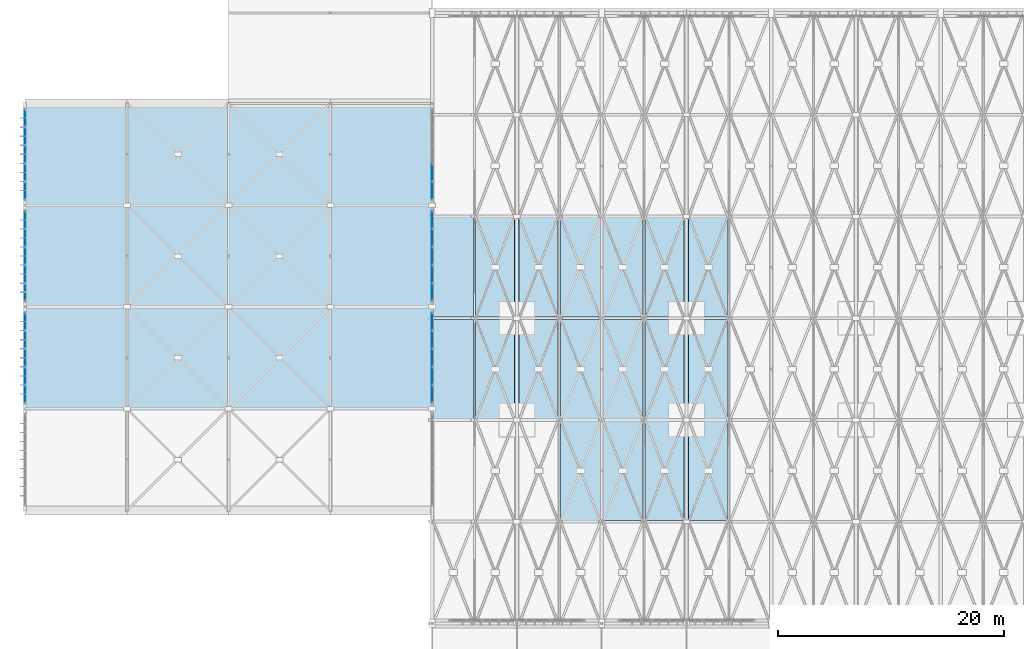
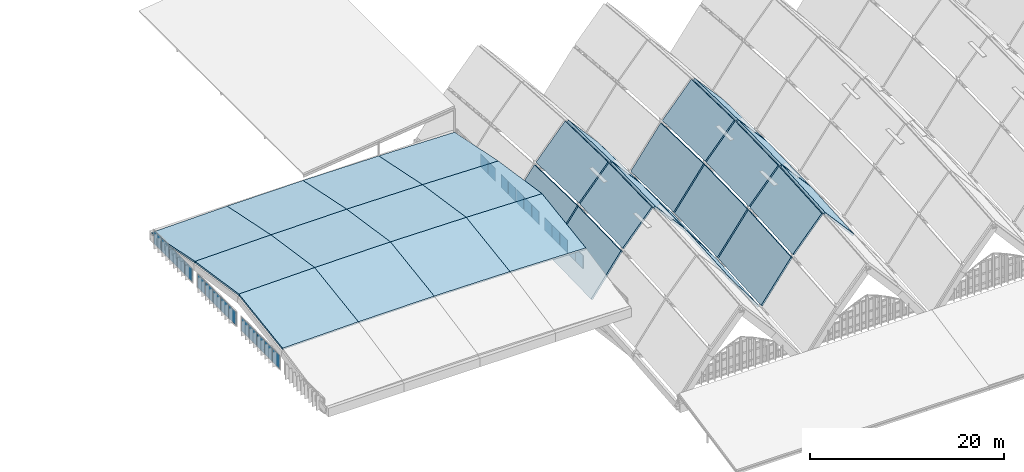
# One storey, part 57 of 93: 30 slabs, 27 plates, 7 elements without a shape of their own.
"""IFC4 building model written with IfcOpenShell, lengths in metres."""

from ifc_helpers import new_model, si_unit, direction, frame, origin, origin_2d, place, context, subcontext, project, spatial, polyline, rectangle, outline, extrude, material, layer, layer_set, type_object, element, aggregate, save


model = new_model("IFC4")

# Units and contexts
model_context = context("Model", 3, precision=1e-05, world=origin(), true_north=direction((0.0, 1.0)))
body_context = subcontext(model_context, "Body", "Model", "MODEL_VIEW")
ifc_project = project(units=[si_unit("LENGTHUNIT", "METRE"), si_unit("AREAUNIT", "SQUARE_METRE"), si_unit("VOLUMEUNIT", "CUBIC_METRE"), si_unit("PLANEANGLEUNIT", "RADIAN"), si_unit("MASSUNIT", "GRAM", prefix="KILO")], contexts=[model_context])

# Site, building, storey
site_placement = place(None, origin())
site = spatial("IfcSite", under=ifc_project, at=site_placement, CompositionType="ELEMENT")
building_placement = place(site_placement, origin())
building = spatial("IfcBuilding", under=site, at=building_placement, Name="Vourika Railside Aquatics Centre", CompositionType="ELEMENT")
storey_placement = place(building_placement, frame((0.0, 0.0, 21.89990234375)))
storey = spatial("IfcBuildingStorey", under=building, at=storey_placement, Name="Roof", CompositionType="ELEMENT", Elevation=21.89990234375)

# Curtain wall, plates
ifc_material_1 = material(Name="Anodized thermally broken aluminium", Category="aluminium")
curtain_wall_type_1 = type_object("IfcCurtainWallType", Name="CW-DIVEE", PredefinedType="NOTDEFINED", material=ifc_material_1)
curtain_wall_1_placement = place(storey_placement, origin())
curtain_wall_1 = element("IfcCurtainWall", 1, at=curtain_wall_1_placement, inside=storey, type_object=curtain_wall_type_1, Name="Diving Hall East Clerestory Curtain Wall 2", PredefinedType="NOTDEFINED")
ifc_material_2 = material(Name="Low-E solar-control laminated double glazing", Category="glass")
ifc_layer_1 = layer(ifc_material_2, 0.0400390625, Name="CWP-DIVEE")
ifc_layer_set_1 = layer_set([ifc_layer_1], Name="Low-E solar-control laminated double glazing")
plate_type_1 = type_object("IfcPlateType", Name="CWP-DIVEE", PredefinedType="CURTAIN_PANEL", material=ifc_layer_set_1)
plate_1_placement = place(storey_placement, frame((36.0, 32.302978515625, -6.223876953125), z_axis=(0.0, 0.0, 1.0), x_axis=(0.0, 1.0, 0.0)))
plate_1 = element("IfcPlate", 2, at=plate_1_placement, type_object=plate_type_1, Name="CW06 panel 1.1", PredefinedType="CURTAIN_PANEL", context=body_context, shape_type="SweptSolid", body=[
    extrude(rectangle(XDim=1.493896484375, YDim=0.0400390625, at=origin_2d()), origin(), (0.0, 0.0, 1.0), 1.64794921875),
])
plate_2_placement = place(storey_placement, frame((36.0, 33.89208984375, -6.223876953125), z_axis=(0.0, 0.0, 1.0), x_axis=(0.0, 1.0, 0.0)))
plate_2 = element("IfcPlate", 3, at=plate_2_placement, type_object=plate_type_1, Name="CW06 panel 2.1", PredefinedType="CURTAIN_PANEL", context=body_context, shape_type="SweptSolid", body=[
    extrude(rectangle(XDim=1.531982421875, YDim=0.0400390625, at=origin_2d()), origin(), (0.0, 0.0, 1.0), 1.64794921875),
])
plate_3_placement = place(storey_placement, frame((36.0, 35.5, -6.223876953125), z_axis=(0.0, 0.0, 1.0), x_axis=(0.0, 1.0, 0.0)))
plate_3 = element("IfcPlate", 4, at=plate_3_placement, type_object=plate_type_1, Name="CW06 panel 3.1", PredefinedType="CURTAIN_PANEL", context=body_context, shape_type="SweptSolid", body=[
    extrude(rectangle(XDim=1.531982421875, YDim=0.0400390625, at=origin_2d()), origin(), (0.0, 0.0, 1.0), 1.64794921875),
])
plate_4_placement = place(storey_placement, frame((36.0, 37.10791015625, -6.223876953125), z_axis=(0.0, 0.0, 1.0), x_axis=(0.0, 1.0, 0.0)))
plate_4 = element("IfcPlate", 5, at=plate_4_placement, type_object=plate_type_1, Name="CW06 panel 4.1", PredefinedType="CURTAIN_PANEL", context=body_context, shape_type="SweptSolid", body=[
    extrude(rectangle(XDim=1.531982421875, YDim=0.0400390625, at=origin_2d()), origin(), (0.0, 0.0, 1.0), 1.64794921875),
])
plate_5_placement = place(storey_placement, frame((36.0, 38.697021484375, -6.223876953125), z_axis=(0.0, 0.0, 1.0), x_axis=(0.0, 1.0, 0.0)))
plate_5 = element("IfcPlate", 6, at=plate_5_placement, type_object=plate_type_1, Name="CW06 panel 5.1", PredefinedType="CURTAIN_PANEL", context=body_context, shape_type="SweptSolid", body=[
    extrude(rectangle(XDim=1.493896484375, YDim=0.0400390625, at=origin_2d()), origin(), (0.0, 0.0, 1.0), 1.64794921875),
])
aggregate(curtain_wall_1, [plate_1, plate_2, plate_3, plate_4, plate_5])

curtain_wall_2_placement = place(storey_placement, origin())
curtain_wall_2 = element("IfcCurtainWall", 7, at=curtain_wall_2_placement, inside=storey, type_object=curtain_wall_type_1, Name="Diving Hall East Clerestory Curtain Wall 3", PredefinedType="NOTDEFINED")
plate_6_placement = place(storey_placement, frame((36.0, 41.302978515625, -6.223876953125), z_axis=(0.0, 0.0, 1.0), x_axis=(0.0, 1.0, 0.0)))
plate_6 = element("IfcPlate", 8, at=plate_6_placement, type_object=plate_type_1, Name="CW06 panel 1.1", PredefinedType="CURTAIN_PANEL", context=body_context, shape_type="SweptSolid", body=[
    extrude(rectangle(XDim=1.493896484375, YDim=0.0400390625, at=origin_2d()), origin(), (0.0, 0.0, 1.0), 1.64794921875),
])
plate_7_placement = place(storey_placement, frame((36.0, 42.89208984375, -6.223876953125), z_axis=(0.0, 0.0, 1.0), x_axis=(0.0, 1.0, 0.0)))
plate_7 = element("IfcPlate", 9, at=plate_7_placement, type_object=plate_type_1, Name="CW06 panel 2.1", PredefinedType="CURTAIN_PANEL", context=body_context, shape_type="SweptSolid", body=[
    extrude(rectangle(XDim=1.531982421875, YDim=0.0400390625, at=origin_2d()), origin(), (0.0, 0.0, 1.0), 1.64794921875),
])
plate_8_placement = place(storey_placement, frame((36.0, 44.5, -6.223876953125), z_axis=(0.0, 0.0, 1.0), x_axis=(0.0, 1.0, 0.0)))
plate_8 = element("IfcPlate", 10, at=plate_8_placement, type_object=plate_type_1, Name="CW06 panel 3.1", PredefinedType="CURTAIN_PANEL", context=body_context, shape_type="SweptSolid", body=[
    extrude(rectangle(XDim=1.531982421875, YDim=0.0400390625, at=origin_2d()), origin(), (0.0, 0.0, 1.0), 1.64794921875),
])
plate_9_placement = place(storey_placement, frame((36.0, 46.10791015625, -6.223876953125), z_axis=(0.0, 0.0, 1.0), x_axis=(0.0, 1.0, 0.0)))
plate_9 = element("IfcPlate", 11, at=plate_9_placement, type_object=plate_type_1, Name="CW06 panel 4.1", PredefinedType="CURTAIN_PANEL", context=body_context, shape_type="SweptSolid", body=[
    extrude(rectangle(XDim=1.531982421875, YDim=0.0400390625, at=origin_2d()), origin(), (0.0, 0.0, 1.0), 1.64794921875),
])
plate_10_placement = place(storey_placement, frame((36.0, 47.697021484375, -6.223876953125), z_axis=(0.0, 0.0, 1.0), x_axis=(0.0, 1.0, 0.0)))
plate_10 = element("IfcPlate", 12, at=plate_10_placement, type_object=plate_type_1, Name="CW06 panel 5.1", PredefinedType="CURTAIN_PANEL", context=body_context, shape_type="SweptSolid", body=[
    extrude(rectangle(XDim=1.493896484375, YDim=0.0400390625, at=origin_2d()), origin(), (0.0, 0.0, 1.0), 1.64794921875),
])
aggregate(curtain_wall_2, [plate_6, plate_7, plate_8, plate_9, plate_10])

curtain_wall_3_placement = place(storey_placement, origin())
curtain_wall_3 = element("IfcCurtainWall", 13, at=curtain_wall_3_placement, inside=storey, type_object=curtain_wall_type_1, Name="Diving Hall East Clerestory Curtain Wall 4", PredefinedType="NOTDEFINED")
plate_11_placement = place(storey_placement, frame((36.0, 50.302978515625, -6.223876953125), z_axis=(0.0, 0.0, 1.0), x_axis=(0.0, 1.0, 0.0)))
plate_11 = element("IfcPlate", 14, at=plate_11_placement, type_object=plate_type_1, Name="CW06 panel 1.1", PredefinedType="CURTAIN_PANEL", context=body_context, shape_type="SweptSolid", body=[
    extrude(rectangle(XDim=1.493896484375, YDim=0.0400390625, at=origin_2d()), origin(), (0.0, 0.0, 1.0), 1.64794921875),
])
plate_12_placement = place(storey_placement, frame((36.0, 51.89208984375, -6.223876953125), z_axis=(0.0, 0.0, 1.0), x_axis=(0.0, 1.0, 0.0)))
plate_12 = element("IfcPlate", 15, at=plate_12_placement, type_object=plate_type_1, Name="CW06 panel 2.1", PredefinedType="CURTAIN_PANEL", context=body_context, shape_type="SweptSolid", body=[
    extrude(rectangle(XDim=1.531982421875, YDim=0.0400390625, at=origin_2d()), origin(), (0.0, 0.0, 1.0), 1.64794921875),
])
aggregate(curtain_wall_3, [plate_11, plate_12])

curtain_wall_type_2 = type_object("IfcCurtainWallType", Name="CW-DIVEW", PredefinedType="NOTDEFINED", material=ifc_material_1)
curtain_wall_4_placement = place(storey_placement, origin())
curtain_wall_4 = element("IfcCurtainWall", 16, at=curtain_wall_4_placement, inside=storey, type_object=curtain_wall_type_2, Name="Diving Hall West Clerestory Curtain Wall 2", PredefinedType="NOTDEFINED")
ifc_layer_2 = layer(ifc_material_2, 0.0400390625, Name="CWP-DIVEW")
ifc_layer_set_2 = layer_set([ifc_layer_2], Name="Low-E solar-control laminated double glazing")
plate_type_2 = type_object("IfcPlateType", Name="CWP-DIVEW", PredefinedType="CURTAIN_PANEL", material=ifc_layer_set_2)
plate_13_placement = place(storey_placement, frame((0.0, 38.696533203125, -6.22216796875), z_axis=(0.0, 0.0, 1.0), x_axis=(0.0, -1.0, 0.0)))
plate_13 = element("IfcPlate", 17, at=plate_13_placement, type_object=plate_type_2, Name="CW05 panel 1.1", PredefinedType="CURTAIN_PANEL", context=body_context, shape_type="SweptSolid", body=[
    extrude(rectangle(XDim=1.490966796875, YDim=0.0400390625, at=origin_2d()), origin(), (0.0, 0.0, 1.0), 1.694091796875),
])
plate_14_placement = place(storey_placement, frame((0.0, 37.10791015625, -6.22216796875), z_axis=(0.0, 0.0, 1.0), x_axis=(0.0, -1.0, 0.0)))
plate_14 = element("IfcPlate", 18, at=plate_14_placement, type_object=plate_type_2, Name="CW05 panel 2.1", PredefinedType="CURTAIN_PANEL", context=body_context, shape_type="SweptSolid", body=[
    extrude(rectangle(XDim=1.530029296875, YDim=0.0400390625, at=origin_2d()), origin(), (0.0, 0.0, 1.0), 1.694091796875),
])
plate_15_placement = place(storey_placement, frame((0.0, 35.5, -6.22216796875), z_axis=(0.0, 0.0, 1.0), x_axis=(0.0, -1.0, 0.0)))
plate_15 = element("IfcPlate", 19, at=plate_15_placement, type_object=plate_type_2, Name="CW05 panel 3.1", PredefinedType="CURTAIN_PANEL", context=body_context, shape_type="SweptSolid", body=[
    extrude(rectangle(XDim=1.530029296875, YDim=0.0400390625, at=origin_2d()), origin(), (0.0, 0.0, 1.0), 1.694091796875),
])
plate_16_placement = place(storey_placement, frame((0.0, 33.89208984375, -6.22216796875), z_axis=(0.0, 0.0, 1.0), x_axis=(0.0, -1.0, 0.0)))
plate_16 = element("IfcPlate", 20, at=plate_16_placement, type_object=plate_type_2, Name="CW05 panel 4.1", PredefinedType="CURTAIN_PANEL", context=body_context, shape_type="SweptSolid", body=[
    extrude(rectangle(XDim=1.530029296875, YDim=0.0400390625, at=origin_2d()), origin(), (0.0, 0.0, 1.0), 1.694091796875),
])
plate_17_placement = place(storey_placement, frame((0.0, 32.303466796875, -6.22216796875), z_axis=(0.0, 0.0, 1.0), x_axis=(0.0, -1.0, 0.0)))
plate_17 = element("IfcPlate", 21, at=plate_17_placement, type_object=plate_type_2, Name="CW05 panel 5.1", PredefinedType="CURTAIN_PANEL", context=body_context, shape_type="SweptSolid", body=[
    extrude(rectangle(XDim=1.490966796875, YDim=0.0400390625, at=origin_2d()), origin(), (0.0, 0.0, 1.0), 1.694091796875),
])
aggregate(curtain_wall_4, [plate_13, plate_14, plate_15, plate_16, plate_17])

curtain_wall_5_placement = place(storey_placement, origin())
curtain_wall_5 = element("IfcCurtainWall", 22, at=curtain_wall_5_placement, inside=storey, type_object=curtain_wall_type_2, Name="Diving Hall West Clerestory Curtain Wall 3", PredefinedType="NOTDEFINED")
plate_18_placement = place(storey_placement, frame((0.0, 47.696533203125, -6.22216796875), z_axis=(0.0, 0.0, 1.0), x_axis=(0.0, -1.0, 0.0)))
plate_18 = element("IfcPlate", 23, at=plate_18_placement, type_object=plate_type_2, Name="CW05 panel 1.1", PredefinedType="CURTAIN_PANEL", context=body_context, shape_type="SweptSolid", body=[
    extrude(rectangle(XDim=1.490966796875, YDim=0.0400390625, at=origin_2d()), origin(), (0.0, 0.0, 1.0), 1.694091796875),
])
plate_19_placement = place(storey_placement, frame((0.0, 46.10791015625, -6.22216796875), z_axis=(0.0, 0.0, 1.0), x_axis=(0.0, -1.0, 0.0)))
plate_19 = element("IfcPlate", 24, at=plate_19_placement, type_object=plate_type_2, Name="CW05 panel 2.1", PredefinedType="CURTAIN_PANEL", context=body_context, shape_type="SweptSolid", body=[
    extrude(rectangle(XDim=1.530029296875, YDim=0.0400390625, at=origin_2d()), origin(), (0.0, 0.0, 1.0), 1.694091796875),
])
plate_20_placement = place(storey_placement, frame((0.0, 44.5, -6.22216796875), z_axis=(0.0, 0.0, 1.0), x_axis=(0.0, -1.0, 0.0)))
plate_20 = element("IfcPlate", 25, at=plate_20_placement, type_object=plate_type_2, Name="CW05 panel 3.1", PredefinedType="CURTAIN_PANEL", context=body_context, shape_type="SweptSolid", body=[
    extrude(rectangle(XDim=1.530029296875, YDim=0.0400390625, at=origin_2d()), origin(), (0.0, 0.0, 1.0), 1.694091796875),
])
plate_21_placement = place(storey_placement, frame((0.0, 42.89208984375, -6.22216796875), z_axis=(0.0, 0.0, 1.0), x_axis=(0.0, -1.0, 0.0)))
plate_21 = element("IfcPlate", 26, at=plate_21_placement, type_object=plate_type_2, Name="CW05 panel 4.1", PredefinedType="CURTAIN_PANEL", context=body_context, shape_type="SweptSolid", body=[
    extrude(rectangle(XDim=1.530029296875, YDim=0.0400390625, at=origin_2d()), origin(), (0.0, 0.0, 1.0), 1.694091796875),
])
plate_22_placement = place(storey_placement, frame((0.0, 41.303466796875, -6.22216796875), z_axis=(0.0, 0.0, 1.0), x_axis=(0.0, -1.0, 0.0)))
plate_22 = element("IfcPlate", 27, at=plate_22_placement, type_object=plate_type_2, Name="CW05 panel 5.1", PredefinedType="CURTAIN_PANEL", context=body_context, shape_type="SweptSolid", body=[
    extrude(rectangle(XDim=1.490966796875, YDim=0.0400390625, at=origin_2d()), origin(), (0.0, 0.0, 1.0), 1.694091796875),
])
aggregate(curtain_wall_5, [plate_18, plate_19, plate_20, plate_21, plate_22])

curtain_wall_6_placement = place(storey_placement, origin())
curtain_wall_6 = element("IfcCurtainWall", 28, at=curtain_wall_6_placement, inside=storey, type_object=curtain_wall_type_2, Name="Diving Hall West Clerestory Curtain Wall 4", PredefinedType="NOTDEFINED")
plate_23_placement = place(storey_placement, frame((0.0, 56.696533203125, -6.22216796875), z_axis=(0.0, 0.0, 1.0), x_axis=(0.0, -1.0, 0.0)))
plate_23 = element("IfcPlate", 29, at=plate_23_placement, type_object=plate_type_2, Name="CW05 panel 1.1", PredefinedType="CURTAIN_PANEL", context=body_context, shape_type="SweptSolid", body=[
    extrude(rectangle(XDim=1.490966796875, YDim=0.0400390625, at=origin_2d()), origin(), (0.0, 0.0, 1.0), 1.694091796875),
])
plate_24_placement = place(storey_placement, frame((0.0, 55.10791015625, -6.22216796875), z_axis=(0.0, 0.0, 1.0), x_axis=(0.0, -1.0, 0.0)))
plate_24 = element("IfcPlate", 30, at=plate_24_placement, type_object=plate_type_2, Name="CW05 panel 2.1", PredefinedType="CURTAIN_PANEL", context=body_context, shape_type="SweptSolid", body=[
    extrude(rectangle(XDim=1.530029296875, YDim=0.0400390625, at=origin_2d()), origin(), (0.0, 0.0, 1.0), 1.694091796875),
])
plate_25_placement = place(storey_placement, frame((0.0, 53.5, -6.22216796875), z_axis=(0.0, 0.0, 1.0), x_axis=(0.0, -1.0, 0.0)))
plate_25 = element("IfcPlate", 31, at=plate_25_placement, type_object=plate_type_2, Name="CW05 panel 3.1", PredefinedType="CURTAIN_PANEL", context=body_context, shape_type="SweptSolid", body=[
    extrude(rectangle(XDim=1.530029296875, YDim=0.0400390625, at=origin_2d()), origin(), (0.0, 0.0, 1.0), 1.694091796875),
])
plate_26_placement = place(storey_placement, frame((0.0, 51.89208984375, -6.22216796875), z_axis=(0.0, 0.0, 1.0), x_axis=(0.0, -1.0, 0.0)))
plate_26 = element("IfcPlate", 32, at=plate_26_placement, type_object=plate_type_2, Name="CW05 panel 4.1", PredefinedType="CURTAIN_PANEL", context=body_context, shape_type="SweptSolid", body=[
    extrude(rectangle(XDim=1.530029296875, YDim=0.0400390625, at=origin_2d()), origin(), (0.0, 0.0, 1.0), 1.694091796875),
])
plate_27_placement = place(storey_placement, frame((0.0, 50.303466796875, -6.22216796875), z_axis=(0.0, 0.0, 1.0), x_axis=(0.0, -1.0, 0.0)))
plate_27 = element("IfcPlate", 33, at=plate_27_placement, type_object=plate_type_2, Name="CW05 panel 5.1", PredefinedType="CURTAIN_PANEL", context=body_context, shape_type="SweptSolid", body=[
    extrude(rectangle(XDim=1.490966796875, YDim=0.0400390625, at=origin_2d()), origin(), (0.0, 0.0, 1.0), 1.694091796875),
])
aggregate(curtain_wall_6, [plate_23, plate_24, plate_25, plate_26, plate_27])

# Roof, slabs
ifc_material_3 = material(Name="Glulam GL32h", Category="wood")
ifc_layer_3 = layer(ifc_material_3, 0.239990234375, Name="ROOF-VAULT-SYS")
ifc_layer_set_3 = layer_set([ifc_layer_3], Name="Glulam GL32h")
roof_type = type_object("IfcRoofType", Name="ROOF-VAULT-SYS", PredefinedType="BARREL_ROOF", material=ifc_layer_set_3)
roof_placement = place(storey_placement, origin())
roof = element("IfcRoof", 34, at=roof_placement, inside=storey, type_object=roof_type, Name="Pointed Glulam Gridshell Vault Roof Assembly", PredefinedType="BARREL_ROOF")
ifc_material_4 = material(Name="Glulam GL28h", Category="wood")
ifc_layer_4 = layer(ifc_material_4, 0.22509765625, Name="SLB-ROOF-SHL225")
ifc_layer_set_4 = layer_set([ifc_layer_4], Name="Glulam GL28h")
slab_type_1 = type_object("IfcSlabType", Name="SLB-ROOF-SHL225", PredefinedType="ROOF", material=ifc_layer_set_4)
slab_1_placement = place(storey_placement, frame((0.0, 31.0, -3.2998046875), z_axis=(-0.019418853594, -0.148296742436, 0.988752236057), x_axis=(0.999807195748, 0.0, 0.019635970316)))
slab_1 = element("IfcSlab", 35, at=slab_1_placement, type_object=slab_type_1, Name="Diving Hall Pointed Shell Roof Panel 170", PredefinedType="ROOF", context=body_context, shape_type="SweptSolid", body=[
    extrude(outline(polyline([(0.0, 0.0), (9.001735572892585, 0.0), (9.028241256456075, 9.100626459886376), (0.02650568356349082, 9.100626459886374), (0.0, 0.0)])), origin(), (0.0, 0.0, -1.0), 0.22509765625),
])
slab_2_placement = place(storey_placement, frame((0.0, 40.0, -1.949951171875), z_axis=(-0.019418853594, 0.148296742436, 0.988752236057), x_axis=(0.999807195748, 0.0, 0.019635970316)))
slab_2 = element("IfcSlab", 36, at=slab_2_placement, type_object=slab_type_1, Name="Diving Hall Pointed Shell Roof Panel 171", PredefinedType="ROOF", context=body_context, shape_type="SweptSolid", body=[
    extrude(outline(polyline([(0.0, 0.0), (9.001735572892585, 0.0), (8.975229889329094, 9.100626459886374), (-0.02650568356349082, 9.100626459886374), (0.0, 0.0)])), origin(), (0.0, 0.0, -1.0), 0.22509765625),
])
slab_3_placement = place(storey_placement, frame((0.0, 49.0, -3.2998046875), z_axis=(-0.019233939125, 0.201318771665, 0.979336922494), x_axis=(0.999807195748, 0.0, 0.019635970316)))
slab_3 = element("IfcSlab", 37, at=slab_3_placement, type_object=slab_type_1, Name="Diving Hall Pointed Shell Roof Panel 172", PredefinedType="ROOF", context=body_context, shape_type="SweptSolid", body=[
    extrude(outline(polyline([(0.0, 0.0), (9.001735572892585, 0.0), (8.965407110233128, 9.188119588929094), (-0.03632846265945622, 9.188119588929094), (0.0, 0.0)])), origin(), (0.0, 0.0, -1.0), 0.22509765625),
])
slab_4_placement = place(storey_placement, frame((9.0, 31.0, -3.123046875), z_axis=(-0.008047743234, -0.148319907805, 0.98890668861), x_axis=(0.999966887953, 0.0, 0.008137751367)))
slab_4 = element("IfcSlab", 38, at=slab_4_placement, type_object=slab_type_1, Name="Diving Hall Pointed Shell Roof Panel 174", PredefinedType="ROOF", context=body_context, shape_type="SweptSolid", body=[
    extrude(outline(polyline([(0.0, 0.0), (9.000298018289717, 0.0), (9.011282790581483, 9.100658429389759), (0.01098477229176546, 9.100658429389759), (0.0, 0.0)])), origin(), (0.0, 0.0, -1.0), 0.22509765625),
])
slab_5_placement = place(storey_placement, frame((9.0, 40.0, -1.773193359375), z_axis=(-0.008047743234, 0.148319907805, 0.98890668861), x_axis=(0.999966887953, 0.0, 0.008137751367)))
slab_5 = element("IfcSlab", 39, at=slab_5_placement, type_object=slab_type_1, Name="Diving Hall Pointed Shell Roof Panel 175", PredefinedType="ROOF", context=body_context, shape_type="SweptSolid", body=[
    extrude(outline(polyline([(0.0, 0.0), (9.000298018289717, 0.0), (8.989313245997952, 9.100658429389759), (-0.01098477229176546, 9.100658429389759), (0.0, 0.0)])), origin(), (0.0, 0.0, -1.0), 0.22509765625),
])
slab_6_placement = place(storey_placement, frame((9.0, 49.0, -3.123046875), z_axis=(-0.007971085644, 0.201349623376, 0.979487003977), x_axis=(0.999966887953, 0.0, 0.008137751367)))
slab_6 = element("IfcSlab", 40, at=slab_6_placement, type_object=slab_type_1, Name="Diving Hall Pointed Shell Roof Panel 176", PredefinedType="ROOF", context=body_context, shape_type="SweptSolid", body=[
    extrude(outline(polyline([(0.0, 0.0), (9.000298018289717, 0.0), (8.985242383558843, 9.188179072347504), (-0.01505563473087333, 9.188179072347504), (0.0, 0.0)])), origin(), (0.0, 0.0, -1.0), 0.22509765625),
])
slab_7_placement = place(storey_placement, frame((18.0, 31.0, -3.0498046875), z_axis=(0.008047743234, -0.148319907805, 0.98890668861), x_axis=(0.999966887953, 0.0, -0.008137751367)))
slab_7 = element("IfcSlab", 41, at=slab_7_placement, type_object=slab_type_1, Name="Diving Hall Pointed Shell Roof Panel 178", PredefinedType="ROOF", context=body_context, shape_type="SweptSolid", body=[
    extrude(outline(polyline([(0.0, 0.0), (9.000298018289717, 0.0), (8.989313245997952, 9.100658429389759), (-0.01098477229176546, 9.100658429389759), (0.0, 0.0)])), origin(), (0.0, 0.0, -1.0), 0.22509765625),
])
slab_8_placement = place(storey_placement, frame((18.0, 40.0, -1.699951171875), z_axis=(0.008047743234, 0.148319907805, 0.98890668861), x_axis=(0.999966887953, 0.0, -0.008137751367)))
slab_8 = element("IfcSlab", 42, at=slab_8_placement, type_object=slab_type_1, Name="Diving Hall Pointed Shell Roof Panel 179", PredefinedType="ROOF", context=body_context, shape_type="SweptSolid", body=[
    extrude(outline(polyline([(0.0, 0.0), (9.000298018289717, 0.0), (9.011282790581483, 9.100658429389759), (0.01098477229176546, 9.100658429389759), (0.0, 0.0)])), origin(), (0.0, 0.0, -1.0), 0.22509765625),
])
slab_9_placement = place(storey_placement, frame((18.0, 49.0, -3.0498046875), z_axis=(0.007971085644, 0.201349623376, 0.979487003977), x_axis=(0.999966887953, 0.0, -0.008137751367)))
slab_9 = element("IfcSlab", 43, at=slab_9_placement, type_object=slab_type_1, Name="Diving Hall Pointed Shell Roof Panel 180", PredefinedType="ROOF", context=body_context, shape_type="SweptSolid", body=[
    extrude(outline(polyline([(0.0, 0.0), (9.000298018289717, 0.0), (9.01535365302059, 9.188179072347504), (0.01505563473087333, 9.188179072347504), (0.0, 0.0)])), origin(), (0.0, 0.0, -1.0), 0.22509765625),
])
slab_10_placement = place(storey_placement, frame((27.0, 31.0, -3.123046875), z_axis=(0.019418853594, -0.148296742436, 0.988752236057), x_axis=(0.999807195748, 0.0, -0.019635970316)))
slab_10 = element("IfcSlab", 44, at=slab_10_placement, type_object=slab_type_1, Name="Diving Hall Pointed Shell Roof Panel 182", PredefinedType="ROOF", context=body_context, shape_type="SweptSolid", body=[
    extrude(outline(polyline([(0.0, 0.0), (9.001735572892585, 0.0), (8.975229889329094, 9.100626459886374), (-0.02650568356349082, 9.100626459886374), (0.0, 0.0)])), origin(), (0.0, 0.0, -1.0), 0.22509765625),
])
slab_11_placement = place(storey_placement, frame((27.0, 40.0, -1.773193359375), z_axis=(0.019418853594, 0.148296742436, 0.988752236057), x_axis=(0.999807195748, 0.0, -0.019635970316)))
slab_11 = element("IfcSlab", 45, at=slab_11_placement, type_object=slab_type_1, Name="Diving Hall Pointed Shell Roof Panel 183", PredefinedType="ROOF", context=body_context, shape_type="SweptSolid", body=[
    extrude(outline(polyline([(0.0, 0.0), (9.001735572892585, 0.0), (9.028241256456075, 9.100626459886376), (0.02650568356349082, 9.100626459886374), (0.0, 0.0)])), origin(), (0.0, 0.0, -1.0), 0.22509765625),
])
slab_12_placement = place(storey_placement, frame((27.0, 49.0, -3.123046875), z_axis=(0.019233939125, 0.201318771665, 0.979336922494), x_axis=(0.999807195748, 0.0, -0.019635970316)))
slab_12 = element("IfcSlab", 46, at=slab_12_placement, type_object=slab_type_1, Name="Diving Hall Pointed Shell Roof Panel 184", PredefinedType="ROOF", context=body_context, shape_type="SweptSolid", body=[
    extrude(outline(polyline([(0.0, 0.0), (9.001735572892585, 0.0), (9.038064035552042, 9.188119588929096), (0.03632846265945622, 9.188119588929094), (0.0, 0.0)])), origin(), (0.0, 0.0, -1.0), 0.22509765625),
])
ifc_layer_5 = layer(ifc_material_4, 0.239990234375, Name="SLB-ROOF-VLT240")
ifc_layer_set_5 = layer_set([ifc_layer_5], Name="Glulam GL28h")
slab_type_2 = type_object("IfcSlabType", Name="SLB-ROOF-VLT240", PredefinedType="ROOF", material=ifc_layer_set_5)
slab_13_placement = place(storey_placement, frame((47.344970703125, 21.094970703125, -4.971435546875), z_axis=(0.805045258731, -0.038533374909, 0.591960564914), x_axis=(0.592400532663, 0.0, -0.80564359918)))
slab_13 = element("IfcSlab", 47, at=slab_13_placement, type_object=slab_type_2, Name="Bay 1 Pointed Timber Roof Deck Panel 008", PredefinedType="ROOF", context=body_context, shape_type="SweptSolid", body=[
    extrude(outline(polyline([(0.0, 0.0), (6.009546577793309, 0.0), (5.5475209883219945, 8.816606566504385), (-0.46202558947131417, 8.816606566504385), (0.0, 0.0)])), origin(), (0.0, 0.0, -1.0), 0.239990234375),
])
slab_14_placement = place(storey_placement, frame((36.094970703125, 30.094970703125, -9.230712890625), z_axis=(-0.805563320848, -0.014116657222, 0.59234150293), x_axis=(0.592400532663, 0.0, 0.80564359918)))
slab_14 = element("IfcSlab", 48, at=slab_14_placement, type_object=slab_type_2, Name="Bay 1 Pointed Timber Roof Deck Panel 009", PredefinedType="ROOF", context=body_context, shape_type="SweptSolid", body=[
    extrude(outline(polyline([(0.0, 0.0), (6.009546577793309, 0.0), (6.178700263168077, 8.810936559260217), (0.16915368537476808, 8.810936559260217), (0.0, 0.0)])), origin(), (0.0, 0.0, -1.0), 0.239990234375),
])
slab_15_placement = place(storey_placement, frame((39.844970703125, 30.094970703125, -4.15087890625), z_axis=(-0.753556399006, -0.015662282473, 0.657196657345), x_axis=(0.657277279678, 0.0, 0.753648842379)))
slab_15 = element("IfcSlab", 49, at=slab_15_placement, type_object=slab_type_2, Name="Bay 1 Pointed Timber Roof Deck Panel 010", PredefinedType="ROOF", context=body_context, shape_type="SweptSolid", body=[
    extrude(outline(polyline([(0.0, 0.0), (5.25665230158345, -6.938893903907228e-18), (5.414889119075044, 8.811139377525146), (0.15823681749159377, 8.811139377525146), (0.0, 0.0)])), origin(), (0.0, 0.0, -1.0), 0.239990234375),
])
slab_16_placement = place(storey_placement, frame((43.699951171875, 30.094970703125, -0.189208984375), z_axis=(0.753556399006, -0.015662282473, 0.657196657345), x_axis=(0.657277279678, 0.0, -0.753648842379)))
slab_16 = element("IfcSlab", 50, at=slab_16_placement, type_object=slab_type_2, Name="Bay 1 Pointed Timber Roof Deck Panel 011", PredefinedType="ROOF", context=body_context, shape_type="SweptSolid", body=[
    extrude(outline(polyline([(0.0, 0.0), (5.25665230158345, 6.938893903907228e-18), (5.098415484091856, 8.811139377525148), (-0.15823681749159377, 8.811139377525146), (0.0, 0.0)])), origin(), (0.0, 0.0, -1.0), 0.239990234375),
])
slab_17_placement = place(storey_placement, frame((47.344970703125, 30.094970703125, -4.38916015625), z_axis=(0.805563320848, -0.014116657222, 0.59234150293), x_axis=(0.592400532663, 0.0, -0.80564359918)))
slab_17 = element("IfcSlab", 51, at=slab_17_placement, type_object=slab_type_2, Name="Bay 1 Pointed Timber Roof Deck Panel 012", PredefinedType="ROOF", context=body_context, shape_type="SweptSolid", body=[
    extrude(outline(polyline([(0.0, 0.0), (6.009546577793309, 0.0), (5.84039289241854, 8.810936559260217), (-0.16915368537476808, 8.810936559260217), (0.0, 0.0)])), origin(), (0.0, 0.0, -1.0), 0.239990234375),
])
slab_18_placement = place(storey_placement, frame((36.094970703125, 39.094970703125, -9.020751953125), z_axis=(-0.805563320848, 0.014116657222, 0.59234150293), x_axis=(0.592400532663, 0.0, 0.80564359918)))
slab_18 = element("IfcSlab", 52, at=slab_18_placement, type_object=slab_type_2, Name="Bay 1 Pointed Timber Roof Deck Panel 013", PredefinedType="ROOF", context=body_context, shape_type="SweptSolid", body=[
    extrude(outline(polyline([(0.0, 0.0), (6.009546577793309, 0.0), (5.84039289241854, 8.810936559260217), (-0.16915368537476808, 8.810936559260217), (0.0, 0.0)])), origin(), (0.0, 0.0, -1.0), 0.239990234375),
])
slab_19_placement = place(storey_placement, frame((39.844970703125, 39.094970703125, -3.94091796875), z_axis=(-0.753556399006, 0.015662282473, 0.657196657345), x_axis=(0.657277279678, 0.0, 0.753648842379)))
slab_19 = element("IfcSlab", 53, at=slab_19_placement, type_object=slab_type_2, Name="Bay 1 Pointed Timber Roof Deck Panel 014", PredefinedType="ROOF", context=body_context, shape_type="SweptSolid", body=[
    extrude(outline(polyline([(0.0, 0.0), (5.25665230158345, 6.938893903907228e-18), (5.098415484091856, 8.811139377525148), (-0.15823681749159377, 8.811139377525146), (0.0, 0.0)])), origin(), (0.0, 0.0, -1.0), 0.239990234375),
])
slab_20_placement = place(storey_placement, frame((43.699951171875, 39.094970703125, 0.020751953125), z_axis=(0.753556399006, 0.015662282473, 0.657196657345), x_axis=(0.657277279678, 0.0, -0.753648842379)))
slab_20 = element("IfcSlab", 54, at=slab_20_placement, type_object=slab_type_2, Name="Bay 1 Pointed Timber Roof Deck Panel 015", PredefinedType="ROOF", context=body_context, shape_type="SweptSolid", body=[
    extrude(outline(polyline([(0.0, 0.0), (5.25665230158345, -6.938893903907228e-18), (5.414889119075044, 8.811139377525146), (0.15823681749159377, 8.811139377525146), (0.0, 0.0)])), origin(), (0.0, 0.0, -1.0), 0.239990234375),
])
slab_21_placement = place(storey_placement, frame((47.344970703125, 39.094970703125, -4.17919921875), z_axis=(0.805563320848, 0.014116657222, 0.59234150293), x_axis=(0.592400532663, 0.0, -0.80564359918)))
slab_21 = element("IfcSlab", 55, at=slab_21_placement, type_object=slab_type_2, Name="Bay 1 Pointed Timber Roof Deck Panel 016", PredefinedType="ROOF", context=body_context, shape_type="SweptSolid", body=[
    extrude(outline(polyline([(0.0, 0.0), (6.009546577793309, 0.0), (6.178700263168077, 8.810936559260217), (0.16915368537476808, 8.810936559260217), (0.0, 0.0)])), origin(), (0.0, 0.0, -1.0), 0.239990234375),
])
slab_22_placement = place(storey_placement, frame((51.094970703125, 21.094970703125, -9.81298828125), z_axis=(-0.805045258731, -0.038533374909, 0.591960564914), x_axis=(0.592400532663, 0.0, 0.80564359918)))
slab_22 = element("IfcSlab", 56, at=slab_22_placement, type_object=slab_type_2, Name="Bay 2 Pointed Timber Roof Deck Panel 029", PredefinedType="ROOF", context=body_context, shape_type="SweptSolid", body=[
    extrude(outline(polyline([(0.0, 0.0), (6.009546577793309, 0.0), (6.471572167264624, 8.816606566504385), (0.46202558947131417, 8.816606566504385), (0.0, 0.0)])), origin(), (0.0, 0.0, -1.0), 0.239990234375),
])
slab_23_placement = place(storey_placement, frame((54.844970703125, 21.094970703125, -4.7333984375), z_axis=(-0.752980078638, -0.042744533256, 0.656653566236), x_axis=(0.657254273789, 0.0, 0.753668905811)))
slab_23 = element("IfcSlab", 57, at=slab_23_placement, type_object=slab_type_2, Name="Bay 2 Pointed Timber Roof Deck Panel 030", PredefinedType="ROOF", context=body_context, shape_type="SweptSolid", body=[
    extrude(outline(polyline([(0.0, 0.0), (5.2568363003320515, -2.7755575615628914e-17), (5.6890551137477186, 8.81811804702024), (0.43221881341566754, 8.81811804702024), (0.0, 0.0)])), origin(), (0.0, 0.0, -1.0), 0.239990234375),
])
slab_24_placement = place(storey_placement, frame((58.699951171875, 21.094970703125, -0.771484375), z_axis=(0.752980078638, -0.042744533256, 0.656653566236), x_axis=(0.657254273789, 0.0, -0.753668905811)))
slab_24 = element("IfcSlab", 58, at=slab_24_placement, type_object=slab_type_2, Name="Bay 2 Pointed Timber Roof Deck Panel 031", PredefinedType="ROOF", context=body_context, shape_type="SweptSolid", body=[
    extrude(outline(polyline([(0.0, 0.0), (5.2568363003320515, 2.7755575615628914e-17), (4.824617486916384, 8.81811804702024), (-0.43221881341566754, 8.81811804702024), (0.0, 0.0)])), origin(), (0.0, 0.0, -1.0), 0.239990234375),
])
slab_25_placement = place(storey_placement, frame((51.094970703125, 30.094970703125, -9.230712890625), z_axis=(-0.805563320848, -0.014116657222, 0.59234150293), x_axis=(0.592400532663, 0.0, 0.80564359918)))
slab_25 = element("IfcSlab", 59, at=slab_25_placement, type_object=slab_type_2, Name="Bay 2 Pointed Timber Roof Deck Panel 033", PredefinedType="ROOF", context=body_context, shape_type="SweptSolid", body=[
    extrude(outline(polyline([(0.0, 0.0), (6.009546577793309, 0.0), (6.178700263168077, 8.810936559260217), (0.16915368537476808, 8.810936559260217), (0.0, 0.0)])), origin(), (0.0, 0.0, -1.0), 0.239990234375),
])
slab_26_placement = place(storey_placement, frame((54.844970703125, 30.094970703125, -4.15087890625), z_axis=(-0.753556399006, -0.015662282473, 0.657196657345), x_axis=(0.657277279678, 0.0, 0.753648842379)))
slab_26 = element("IfcSlab", 60, at=slab_26_placement, type_object=slab_type_2, Name="Bay 2 Pointed Timber Roof Deck Panel 034", PredefinedType="ROOF", context=body_context, shape_type="SweptSolid", body=[
    extrude(outline(polyline([(0.0, 0.0), (5.25665230158345, -6.938893903907228e-18), (5.414889119075044, 8.811139377525146), (0.15823681749159377, 8.811139377525146), (0.0, 0.0)])), origin(), (0.0, 0.0, -1.0), 0.239990234375),
])
slab_27_placement = place(storey_placement, frame((58.699951171875, 30.094970703125, -0.189208984375), z_axis=(0.753556399006, -0.015662282473, 0.657196657345), x_axis=(0.657277279678, 0.0, -0.753648842379)))
slab_27 = element("IfcSlab", 61, at=slab_27_placement, type_object=slab_type_2, Name="Bay 2 Pointed Timber Roof Deck Panel 035", PredefinedType="ROOF", context=body_context, shape_type="SweptSolid", body=[
    extrude(outline(polyline([(0.0, 0.0), (5.25665230158345, 6.938893903907228e-18), (5.098415484091856, 8.811139377525148), (-0.15823681749159377, 8.811139377525146), (0.0, 0.0)])), origin(), (0.0, 0.0, -1.0), 0.239990234375),
])
slab_28_placement = place(storey_placement, frame((51.094970703125, 39.094970703125, -9.020751953125), z_axis=(-0.805563320848, 0.014116657222, 0.59234150293), x_axis=(0.592400532663, 0.0, 0.80564359918)))
slab_28 = element("IfcSlab", 62, at=slab_28_placement, type_object=slab_type_2, Name="Bay 2 Pointed Timber Roof Deck Panel 037", PredefinedType="ROOF", context=body_context, shape_type="SweptSolid", body=[
    extrude(outline(polyline([(0.0, 0.0), (6.009546577793309, 0.0), (5.84039289241854, 8.810936559260217), (-0.16915368537476808, 8.810936559260217), (0.0, 0.0)])), origin(), (0.0, 0.0, -1.0), 0.239990234375),
])
slab_29_placement = place(storey_placement, frame((54.844970703125, 39.094970703125, -3.94091796875), z_axis=(-0.753556399006, 0.015662282473, 0.657196657345), x_axis=(0.657277279678, 0.0, 0.753648842379)))
slab_29 = element("IfcSlab", 63, at=slab_29_placement, type_object=slab_type_2, Name="Bay 2 Pointed Timber Roof Deck Panel 038", PredefinedType="ROOF", context=body_context, shape_type="SweptSolid", body=[
    extrude(outline(polyline([(0.0, 0.0), (5.25665230158345, 6.938893903907228e-18), (5.098415484091856, 8.811139377525148), (-0.15823681749159377, 8.811139377525146), (0.0, 0.0)])), origin(), (0.0, 0.0, -1.0), 0.239990234375),
])
slab_30_placement = place(storey_placement, frame((58.699951171875, 39.094970703125, 0.020751953125), z_axis=(0.753556399006, 0.015662282473, 0.657196657345), x_axis=(0.657277279678, 0.0, -0.753648842379)))
slab_30 = element("IfcSlab", 64, at=slab_30_placement, type_object=slab_type_2, Name="Bay 2 Pointed Timber Roof Deck Panel 039", PredefinedType="ROOF", context=body_context, shape_type="SweptSolid", body=[
    extrude(outline(polyline([(0.0, 0.0), (5.25665230158345, -6.938893903907228e-18), (5.414889119075044, 8.811139377525146), (0.15823681749159377, 8.811139377525146), (0.0, 0.0)])), origin(), (0.0, 0.0, -1.0), 0.239990234375),
])
aggregate(roof, [slab_13, slab_14, slab_15, slab_16, slab_17, slab_18, slab_19, slab_20, slab_21, slab_22, slab_23, slab_24, slab_25, slab_26, slab_27, slab_28, slab_29, slab_30, slab_1, slab_2, slab_3, slab_4, slab_5, slab_6, slab_7, slab_8, slab_9, slab_10, slab_11, slab_12])

save(model, "model.ifc")
